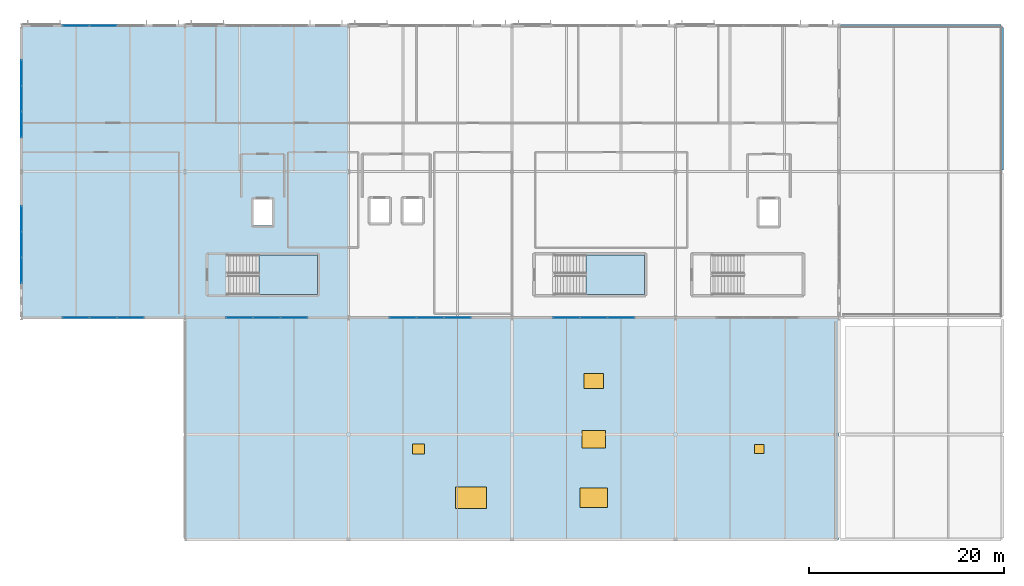
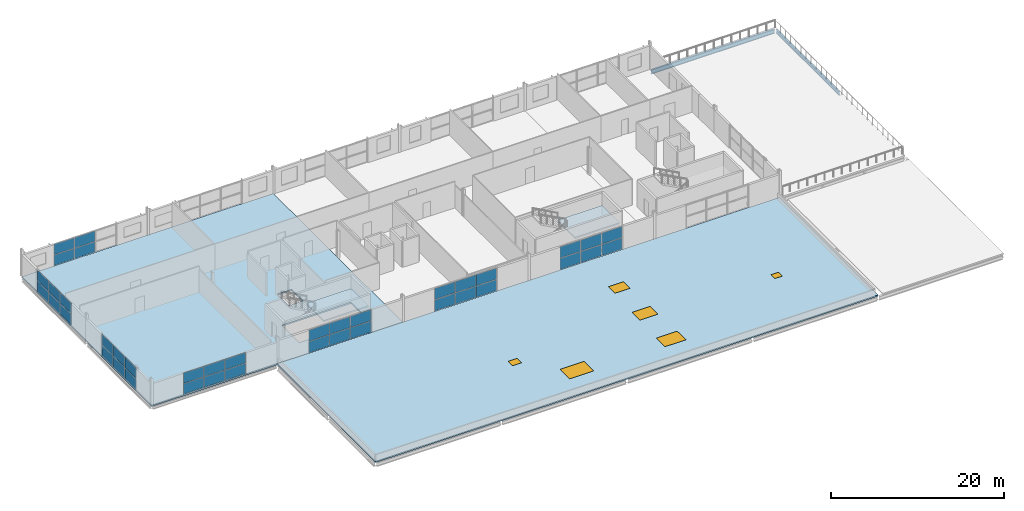
# One storey, part 25 of 36: 40 plates, 4 slabs, 4 windows, 2 beams, 2 doors, 6 openings, 9 elements without a shape of their own.
"""IFC4 building model written with IfcOpenShell, lengths in metres."""

from ifc_helpers import new_model, si_unit, direction, frame, origin, origin_2d, place, context, subcontext, project, spatial, polyline, rectangle, i_section, outline, extrude, material, layer, layer_set, material_profile, profile_set, type_object, element, fill, aggregate, save


model = new_model("IFC4")

# Units and contexts
model_context = context("Model", 3, precision=1e-05, world=origin(), true_north=direction((0.0, 1.0)))
body_context = subcontext(model_context, "Body", "Model", "MODEL_VIEW")
ifc_project = project(units=[si_unit("LENGTHUNIT", "METRE"), si_unit("AREAUNIT", "SQUARE_METRE"), si_unit("VOLUMEUNIT", "CUBIC_METRE"), si_unit("PLANEANGLEUNIT", "RADIAN"), si_unit("MASSUNIT", "GRAM", prefix="KILO")], contexts=[model_context])

# Site, building, storey
site_placement = place(None, origin())
site = spatial("IfcSite", under=ifc_project, at=site_placement, CompositionType="ELEMENT")
building_placement = place(site_placement, origin())
building = spatial("IfcBuilding", under=site, at=building_placement, Name="Kimbaza Rail Terminus", CompositionType="ELEMENT")
storey_placement = place(building_placement, frame((0.0, 0.0, 21.0)))
storey = spatial("IfcBuildingStorey", under=building, at=storey_placement, Name="L04", CompositionType="ELEMENT", Elevation=21.0)

# Beams
ifc_material_1 = material(Name="Steel S355", Category="steel")
ifc_material_profile_1 = material_profile(ifc_material_1, i_section(OverallWidth=0.199951171875, OverallDepth=0.5, WebThickness=0.01025390625, FlangeThickness=0.01611328125, FilletRadius=0.02099609375, at=origin_2d()), Name="IPE 500")
ifc_profile_set_1 = profile_set([ifc_material_profile_1], Name="Steel S355")
beam_type_1 = type_object("IfcBeamType", Name="STR-BM-IPE500", PredefinedType="BEAM", material=ifc_profile_set_1)
beam_1_placement = place(storey_placement, frame((156.0, 118.175048828125, -0.449951171875), z_axis=(0.0, 1.0, 0.0), x_axis=(-1.0, 0.0, 0.0)))
element("IfcBeam", 1, at=beam_1_placement, inside=storey, type_object=beam_type_1, Name="Beam BM-TER4Y-1", PredefinedType="BEAM", context=body_context, shape_type="SweptSolid", body=[
    extrude(i_section(OverallWidth=0.199951171875, OverallDepth=0.5, WebThickness=0.01025390625, FlangeThickness=0.01611328125, FilletRadius=0.02099609375, at=origin_2d()), origin(), (0.0, 0.0, 1.0), 14.64990234375),
])
ifc_material_2 = material(Name="Steel S355", Category="steel")
ifc_material_profile_2 = material_profile(ifc_material_2, i_section(OverallWidth=0.219970703125, OverallDepth=0.60009765625, WebThickness=0.011962890625, FlangeThickness=0.01904296875, FilletRadius=0.02392578125, at=origin_2d()), Name="IPE 600")
ifc_profile_set_2 = profile_set([ifc_material_profile_2], Name="Steel S355")
beam_type_2 = type_object("IfcBeamType", Name="STR-BM-IPE600", PredefinedType="BEAM", material=ifc_profile_set_2)
beam_2_placement = place(storey_placement, frame((139.345947265625, 133.0, -0.5), z_axis=(1.0, 0.0, 0.0), x_axis=(0.0, 1.0, 0.0)))
element("IfcBeam", 2, at=beam_2_placement, inside=storey, type_object=beam_type_2, Name="Beam BM-TER4X-2", PredefinedType="BEAM", context=body_context, shape_type="SweptSolid", body=[
    extrude(i_section(OverallWidth=0.219970703125, OverallDepth=0.60009765625, WebThickness=0.011962890625, FlangeThickness=0.01904296875, FilletRadius=0.02392578125, at=origin_2d()), origin(), (0.0, 0.0, 1.0), 16.508056640625),
])

# Curtain wall, plates
ifc_material_3 = material(Name="Anodised aluminium framing and solar low-E glazing", Category="aluminium")
curtain_wall_type = type_object("IfcCurtainWallType", Name="ARC-CW-OP2", PredefinedType="USERDEFINED", material=ifc_material_3)
curtain_wall_1_placement = place(storey_placement, origin())
curtain_wall_1 = element("IfcCurtainWall", 3, at=curtain_wall_1_placement, inside=storey, type_object=curtain_wall_type, Name="Operations North Curtain Wall L04 Bay 1", ObjectType="STICK CURTAIN WALL", PredefinedType="USERDEFINED")
ifc_material_4 = material(Name="Solar-control double low-E glazing", Category="glass")
ifc_layer_1 = layer(ifc_material_4, 0.02294921875)
ifc_layer_set_1 = layer_set([ifc_layer_1], Name="Solar-control double low-E glazing")
plate_type = type_object("IfcPlateType", Name="ARC-CWP-06", PredefinedType="CURTAIN_PANEL", material=ifc_layer_set_1)
plate_1_placement = place(storey_placement, frame((60.814453125, 133.0, 0.05810546875), z_axis=(0.0, 0.0, 1.0), x_axis=(1.0, 0.0, 0.0)))
plate_1 = element("IfcPlate", 4, at=plate_1_placement, type_object=plate_type, Name="CW-06 panel 1.1", PredefinedType="CURTAIN_PANEL", context=body_context, shape_type="SweptSolid", body=[
    extrude(rectangle(XDim=2.712890625, YDim=0.02294921875, at=origin_2d()), origin(), (0.0, 0.0, 1.0), 1.465576171875),
])
plate_2_placement = place(storey_placement, frame((60.814453125, 133.0, 1.58154296875), z_axis=(0.0, 0.0, 1.0), x_axis=(1.0, 0.0, 0.0)))
plate_2 = element("IfcPlate", 5, at=plate_2_placement, type_object=plate_type, Name="CW-06 panel 1.2", PredefinedType="CURTAIN_PANEL", context=body_context, shape_type="SweptSolid", body=[
    extrude(rectangle(XDim=2.712890625, YDim=0.02294921875, at=origin_2d()), origin(), (0.0, 0.0, 1.0), 1.465576171875),
])
plate_3_placement = place(storey_placement, frame((63.60009765625, 133.0, 0.05810546875), z_axis=(0.0, 0.0, 1.0), x_axis=(1.0, 0.0, 0.0)))
plate_3 = element("IfcPlate", 6, at=plate_3_placement, type_object=plate_type, Name="CW-06 panel 2.1", PredefinedType="CURTAIN_PANEL", context=body_context, shape_type="SweptSolid", body=[
    extrude(rectangle(XDim=2.741943359375, YDim=0.02294921875, at=origin_2d()), origin(), (0.0, 0.0, 1.0), 1.465576171875),
])
plate_4_placement = place(storey_placement, frame((63.60009765625, 133.0, 1.58154296875), z_axis=(0.0, 0.0, 1.0), x_axis=(1.0, 0.0, 0.0)))
plate_4 = element("IfcPlate", 7, at=plate_4_placement, type_object=plate_type, Name="CW-06 panel 2.2", PredefinedType="CURTAIN_PANEL", context=body_context, shape_type="SweptSolid", body=[
    extrude(rectangle(XDim=2.741943359375, YDim=0.02294921875, at=origin_2d()), origin(), (0.0, 0.0, 1.0), 1.465576171875),
])
aggregate(curtain_wall_1, [plate_1, plate_2, plate_3, plate_4])

curtain_wall_2_placement = place(storey_placement, origin())
curtain_wall_2 = element("IfcCurtainWall", 8, at=curtain_wall_2_placement, inside=storey, type_object=curtain_wall_type, Name="Operations South Curtain Wall L04 Bay 1", ObjectType="STICK CURTAIN WALL", PredefinedType="USERDEFINED")
plate_5_placement = place(storey_placement, frame((60.814453125, 103.0, 0.05810546875), z_axis=(0.0, 0.0, 1.0), x_axis=(1.0, 0.0, 0.0)))
plate_5 = element("IfcPlate", 9, at=plate_5_placement, type_object=plate_type, Name="CW-06 panel 1.1", PredefinedType="CURTAIN_PANEL", context=body_context, shape_type="SweptSolid", body=[
    extrude(rectangle(XDim=2.712890625, YDim=0.02294921875, at=origin_2d()), origin(), (0.0, 0.0, 1.0), 1.465576171875),
])
plate_6_placement = place(storey_placement, frame((60.814453125, 103.0, 1.58154296875), z_axis=(0.0, 0.0, 1.0), x_axis=(1.0, 0.0, 0.0)))
plate_6 = element("IfcPlate", 10, at=plate_6_placement, type_object=plate_type, Name="CW-06 panel 1.2", PredefinedType="CURTAIN_PANEL", context=body_context, shape_type="SweptSolid", body=[
    extrude(rectangle(XDim=2.712890625, YDim=0.02294921875, at=origin_2d()), origin(), (0.0, 0.0, 1.0), 1.465576171875),
])
plate_7_placement = place(storey_placement, frame((63.60009765625, 103.0, 0.05810546875), z_axis=(0.0, 0.0, 1.0), x_axis=(1.0, 0.0, 0.0)))
plate_7 = element("IfcPlate", 11, at=plate_7_placement, type_object=plate_type, Name="CW-06 panel 2.1", PredefinedType="CURTAIN_PANEL", context=body_context, shape_type="SweptSolid", body=[
    extrude(rectangle(XDim=2.741943359375, YDim=0.02294921875, at=origin_2d()), origin(), (0.0, 0.0, 1.0), 1.465576171875),
])
plate_8_placement = place(storey_placement, frame((63.60009765625, 103.0, 1.58154296875), z_axis=(0.0, 0.0, 1.0), x_axis=(1.0, 0.0, 0.0)))
plate_8 = element("IfcPlate", 12, at=plate_8_placement, type_object=plate_type, Name="CW-06 panel 2.2", PredefinedType="CURTAIN_PANEL", context=body_context, shape_type="SweptSolid", body=[
    extrude(rectangle(XDim=2.741943359375, YDim=0.02294921875, at=origin_2d()), origin(), (0.0, 0.0, 1.0), 1.465576171875),
])
plate_9_placement = place(storey_placement, frame((66.385498046875, 103.0, 0.05810546875), z_axis=(0.0, 0.0, 1.0), x_axis=(1.0, 0.0, 0.0)))
plate_9 = element("IfcPlate", 13, at=plate_9_placement, type_object=plate_type, Name="CW-06 panel 3.1", PredefinedType="CURTAIN_PANEL", context=body_context, shape_type="SweptSolid", body=[
    extrude(rectangle(XDim=2.712890625, YDim=0.02294921875, at=origin_2d()), origin(), (0.0, 0.0, 1.0), 1.465576171875),
])
plate_10_placement = place(storey_placement, frame((66.385498046875, 103.0, 1.58154296875), z_axis=(0.0, 0.0, 1.0), x_axis=(1.0, 0.0, 0.0)))
plate_10 = element("IfcPlate", 14, at=plate_10_placement, type_object=plate_type, Name="CW-06 panel 3.2", PredefinedType="CURTAIN_PANEL", context=body_context, shape_type="SweptSolid", body=[
    extrude(rectangle(XDim=2.712890625, YDim=0.02294921875, at=origin_2d()), origin(), (0.0, 0.0, 1.0), 1.465576171875),
])
aggregate(curtain_wall_2, [plate_5, plate_6, plate_7, plate_8, plate_9, plate_10])

curtain_wall_3_placement = place(storey_placement, origin())
curtain_wall_3 = element("IfcCurtainWall", 15, at=curtain_wall_3_placement, inside=storey, type_object=curtain_wall_type, Name="Operations South Curtain Wall L04 Bay 2", ObjectType="STICK CURTAIN WALL", PredefinedType="USERDEFINED")
plate_11_placement = place(storey_placement, frame((77.614501953125, 103.0, 0.05810546875), z_axis=(0.0, 0.0, 1.0), x_axis=(1.0, 0.0, 0.0)))
plate_11 = element("IfcPlate", 16, at=plate_11_placement, type_object=plate_type, Name="CW-06 panel 1.1", PredefinedType="CURTAIN_PANEL", context=body_context, shape_type="SweptSolid", body=[
    extrude(rectangle(XDim=2.712890625, YDim=0.02294921875, at=origin_2d()), origin(), (0.0, 0.0, 1.0), 1.570556640625),
])
plate_12_placement = place(storey_placement, frame((77.614501953125, 103.0, 1.6865234375), z_axis=(0.0, 0.0, 1.0), x_axis=(1.0, 0.0, 0.0)))
plate_12 = element("IfcPlate", 17, at=plate_12_placement, type_object=plate_type, Name="CW-06 panel 1.2", PredefinedType="CURTAIN_PANEL", context=body_context, shape_type="SweptSolid", body=[
    extrude(rectangle(XDim=2.712890625, YDim=0.02294921875, at=origin_2d()), origin(), (0.0, 0.0, 1.0), 1.570556640625),
])
plate_13_placement = place(storey_placement, frame((80.39990234375, 103.0, 0.05810546875), z_axis=(0.0, 0.0, 1.0), x_axis=(1.0, 0.0, 0.0)))
plate_13 = element("IfcPlate", 18, at=plate_13_placement, type_object=plate_type, Name="CW-06 panel 2.1", PredefinedType="CURTAIN_PANEL", context=body_context, shape_type="SweptSolid", body=[
    extrude(rectangle(XDim=2.741943359375, YDim=0.02294921875, at=origin_2d()), origin(), (0.0, 0.0, 1.0), 1.570556640625),
])
plate_14_placement = place(storey_placement, frame((80.39990234375, 103.0, 1.6865234375), z_axis=(0.0, 0.0, 1.0), x_axis=(1.0, 0.0, 0.0)))
plate_14 = element("IfcPlate", 19, at=plate_14_placement, type_object=plate_type, Name="CW-06 panel 2.2", PredefinedType="CURTAIN_PANEL", context=body_context, shape_type="SweptSolid", body=[
    extrude(rectangle(XDim=2.741943359375, YDim=0.02294921875, at=origin_2d()), origin(), (0.0, 0.0, 1.0), 1.570556640625),
])
plate_15_placement = place(storey_placement, frame((83.185546875, 103.0, 0.05810546875), z_axis=(0.0, 0.0, 1.0), x_axis=(1.0, 0.0, 0.0)))
plate_15 = element("IfcPlate", 20, at=plate_15_placement, type_object=plate_type, Name="CW-06 panel 3.1", PredefinedType="CURTAIN_PANEL", context=body_context, shape_type="SweptSolid", body=[
    extrude(rectangle(XDim=2.712890625, YDim=0.02294921875, at=origin_2d()), origin(), (0.0, 0.0, 1.0), 1.570556640625),
])
plate_16_placement = place(storey_placement, frame((83.185546875, 103.0, 1.6865234375), z_axis=(0.0, 0.0, 1.0), x_axis=(1.0, 0.0, 0.0)))
plate_16 = element("IfcPlate", 21, at=plate_16_placement, type_object=plate_type, Name="CW-06 panel 3.2", PredefinedType="CURTAIN_PANEL", context=body_context, shape_type="SweptSolid", body=[
    extrude(rectangle(XDim=2.712890625, YDim=0.02294921875, at=origin_2d()), origin(), (0.0, 0.0, 1.0), 1.570556640625),
])
aggregate(curtain_wall_3, [plate_11, plate_12, plate_13, plate_14, plate_15, plate_16])

curtain_wall_4_placement = place(storey_placement, origin())
curtain_wall_4 = element("IfcCurtainWall", 22, at=curtain_wall_4_placement, inside=storey, type_object=curtain_wall_type, Name="Operations South Curtain Wall L04 Bay 3", ObjectType="STICK CURTAIN WALL", PredefinedType="USERDEFINED")
plate_17_placement = place(storey_placement, frame((94.41455078125, 103.0, 0.05810546875), z_axis=(0.0, 0.0, 1.0), x_axis=(1.0, 0.0, 0.0)))
plate_17 = element("IfcPlate", 23, at=plate_17_placement, type_object=plate_type, Name="CW-06 panel 1.1", PredefinedType="CURTAIN_PANEL", context=body_context, shape_type="SweptSolid", body=[
    extrude(rectangle(XDim=2.712890625, YDim=0.02294921875, at=origin_2d()), origin(), (0.0, 0.0, 1.0), 1.570556640625),
])
plate_18_placement = place(storey_placement, frame((94.41455078125, 103.0, 1.6865234375), z_axis=(0.0, 0.0, 1.0), x_axis=(1.0, 0.0, 0.0)))
plate_18 = element("IfcPlate", 24, at=plate_18_placement, type_object=plate_type, Name="CW-06 panel 1.2", PredefinedType="CURTAIN_PANEL", context=body_context, shape_type="SweptSolid", body=[
    extrude(rectangle(XDim=2.712890625, YDim=0.02294921875, at=origin_2d()), origin(), (0.0, 0.0, 1.0), 1.570556640625),
])
plate_19_placement = place(storey_placement, frame((97.199951171875, 103.0, 0.05810546875), z_axis=(0.0, 0.0, 1.0), x_axis=(1.0, 0.0, 0.0)))
plate_19 = element("IfcPlate", 25, at=plate_19_placement, type_object=plate_type, Name="CW-06 panel 2.1", PredefinedType="CURTAIN_PANEL", context=body_context, shape_type="SweptSolid", body=[
    extrude(rectangle(XDim=2.741943359375, YDim=0.02294921875, at=origin_2d()), origin(), (0.0, 0.0, 1.0), 1.570556640625),
])
plate_20_placement = place(storey_placement, frame((97.199951171875, 103.0, 1.6865234375), z_axis=(0.0, 0.0, 1.0), x_axis=(1.0, 0.0, 0.0)))
plate_20 = element("IfcPlate", 26, at=plate_20_placement, type_object=plate_type, Name="CW-06 panel 2.2", PredefinedType="CURTAIN_PANEL", context=body_context, shape_type="SweptSolid", body=[
    extrude(rectangle(XDim=2.741943359375, YDim=0.02294921875, at=origin_2d()), origin(), (0.0, 0.0, 1.0), 1.570556640625),
])
plate_21_placement = place(storey_placement, frame((99.985595703125, 103.0, 0.05810546875), z_axis=(0.0, 0.0, 1.0), x_axis=(1.0, 0.0, 0.0)))
plate_21 = element("IfcPlate", 27, at=plate_21_placement, type_object=plate_type, Name="CW-06 panel 3.1", PredefinedType="CURTAIN_PANEL", context=body_context, shape_type="SweptSolid", body=[
    extrude(rectangle(XDim=2.712890625, YDim=0.02294921875, at=origin_2d()), origin(), (0.0, 0.0, 1.0), 1.570556640625),
])
plate_22_placement = place(storey_placement, frame((99.985595703125, 103.0, 1.6865234375), z_axis=(0.0, 0.0, 1.0), x_axis=(1.0, 0.0, 0.0)))
plate_22 = element("IfcPlate", 28, at=plate_22_placement, type_object=plate_type, Name="CW-06 panel 3.2", PredefinedType="CURTAIN_PANEL", context=body_context, shape_type="SweptSolid", body=[
    extrude(rectangle(XDim=2.712890625, YDim=0.02294921875, at=origin_2d()), origin(), (0.0, 0.0, 1.0), 1.570556640625),
])
aggregate(curtain_wall_4, [plate_17, plate_18, plate_19, plate_20, plate_21, plate_22])

curtain_wall_5_placement = place(storey_placement, origin())
curtain_wall_5 = element("IfcCurtainWall", 29, at=curtain_wall_5_placement, inside=storey, type_object=curtain_wall_type, Name="Operations South Curtain Wall L04 Bay 4", ObjectType="STICK CURTAIN WALL", PredefinedType="USERDEFINED")
plate_23_placement = place(storey_placement, frame((111.214599609375, 103.0, 0.05810546875), z_axis=(0.0, 0.0, 1.0), x_axis=(1.0, 0.0, 0.0)))
plate_23 = element("IfcPlate", 30, at=plate_23_placement, type_object=plate_type, Name="CW-06 panel 1.1", PredefinedType="CURTAIN_PANEL", context=body_context, shape_type="SweptSolid", body=[
    extrude(rectangle(XDim=2.712890625, YDim=0.02294921875, at=origin_2d()), origin(), (0.0, 0.0, 1.0), 1.570556640625),
])
plate_24_placement = place(storey_placement, frame((111.214599609375, 103.0, 1.6865234375), z_axis=(0.0, 0.0, 1.0), x_axis=(1.0, 0.0, 0.0)))
plate_24 = element("IfcPlate", 31, at=plate_24_placement, type_object=plate_type, Name="CW-06 panel 1.2", PredefinedType="CURTAIN_PANEL", context=body_context, shape_type="SweptSolid", body=[
    extrude(rectangle(XDim=2.712890625, YDim=0.02294921875, at=origin_2d()), origin(), (0.0, 0.0, 1.0), 1.570556640625),
])
plate_25_placement = place(storey_placement, frame((114.0, 103.0, 0.05810546875), z_axis=(0.0, 0.0, 1.0), x_axis=(1.0, 0.0, 0.0)))
plate_25 = element("IfcPlate", 32, at=plate_25_placement, type_object=plate_type, Name="CW-06 panel 2.1", PredefinedType="CURTAIN_PANEL", context=body_context, shape_type="SweptSolid", body=[
    extrude(rectangle(XDim=2.741943359375, YDim=0.02294921875, at=origin_2d()), origin(), (0.0, 0.0, 1.0), 1.570556640625),
])
plate_26_placement = place(storey_placement, frame((114.0, 103.0, 1.6865234375), z_axis=(0.0, 0.0, 1.0), x_axis=(1.0, 0.0, 0.0)))
plate_26 = element("IfcPlate", 33, at=plate_26_placement, type_object=plate_type, Name="CW-06 panel 2.2", PredefinedType="CURTAIN_PANEL", context=body_context, shape_type="SweptSolid", body=[
    extrude(rectangle(XDim=2.741943359375, YDim=0.02294921875, at=origin_2d()), origin(), (0.0, 0.0, 1.0), 1.570556640625),
])
plate_27_placement = place(storey_placement, frame((116.785400390625, 103.0, 0.05810546875), z_axis=(0.0, 0.0, 1.0), x_axis=(1.0, 0.0, 0.0)))
plate_27 = element("IfcPlate", 34, at=plate_27_placement, type_object=plate_type, Name="CW-06 panel 3.1", PredefinedType="CURTAIN_PANEL", context=body_context, shape_type="SweptSolid", body=[
    extrude(rectangle(XDim=2.712890625, YDim=0.02294921875, at=origin_2d()), origin(), (0.0, 0.0, 1.0), 1.570556640625),
])
plate_28_placement = place(storey_placement, frame((116.785400390625, 103.0, 1.6865234375), z_axis=(0.0, 0.0, 1.0), x_axis=(1.0, 0.0, 0.0)))
plate_28 = element("IfcPlate", 35, at=plate_28_placement, type_object=plate_type, Name="CW-06 panel 3.2", PredefinedType="CURTAIN_PANEL", context=body_context, shape_type="SweptSolid", body=[
    extrude(rectangle(XDim=2.712890625, YDim=0.02294921875, at=origin_2d()), origin(), (0.0, 0.0, 1.0), 1.570556640625),
])
aggregate(curtain_wall_5, [plate_23, plate_24, plate_25, plate_26, plate_27, plate_28])

curtain_wall_6_placement = place(storey_placement, origin())
curtain_wall_6 = element("IfcCurtainWall", 36, at=curtain_wall_6_placement, inside=storey, type_object=curtain_wall_type, Name="Operations W Curtain Wall L04.1", ObjectType="STICK CURTAIN WALL", PredefinedType="USERDEFINED")
plate_29_placement = place(storey_placement, frame((55.199951171875, 107.847900390625, 0.05810546875), z_axis=(0.0, 0.0, 1.0), x_axis=(0.0, 1.0, 0.0)))
plate_29 = element("IfcPlate", 37, at=plate_29_placement, type_object=plate_type, Name="CW-06 panel 1.1", PredefinedType="CURTAIN_PANEL", context=body_context, shape_type="SweptSolid", body=[
    extrude(rectangle(XDim=2.57958984375, YDim=0.02294921875, at=origin_2d()), origin(), (0.0, 0.0, 1.0), 1.515380859375),
])
plate_30_placement = place(storey_placement, frame((55.199951171875, 107.847900390625, 1.63134765625), z_axis=(0.0, 0.0, 1.0), x_axis=(0.0, 1.0, 0.0)))
plate_30 = element("IfcPlate", 38, at=plate_30_placement, type_object=plate_type, Name="CW-06 panel 1.2", PredefinedType="CURTAIN_PANEL", context=body_context, shape_type="SweptSolid", body=[
    extrude(rectangle(XDim=2.57958984375, YDim=0.02294921875, at=origin_2d()), origin(), (0.0, 0.0, 1.0), 1.515380859375),
])
plate_31_placement = place(storey_placement, frame((55.199951171875, 110.5, 0.05810546875), z_axis=(0.0, 0.0, 1.0), x_axis=(0.0, 1.0, 0.0)))
plate_31 = element("IfcPlate", 39, at=plate_31_placement, type_object=plate_type, Name="CW-06 panel 2.1", PredefinedType="CURTAIN_PANEL", context=body_context, shape_type="SweptSolid", body=[
    extrude(rectangle(XDim=2.608642578125, YDim=0.02294921875, at=origin_2d()), origin(), (0.0, 0.0, 1.0), 1.515380859375),
])
plate_32_placement = place(storey_placement, frame((55.199951171875, 110.5, 1.63134765625), z_axis=(0.0, 0.0, 1.0), x_axis=(0.0, 1.0, 0.0)))
plate_32 = element("IfcPlate", 40, at=plate_32_placement, type_object=plate_type, Name="CW-06 panel 2.2", PredefinedType="CURTAIN_PANEL", context=body_context, shape_type="SweptSolid", body=[
    extrude(rectangle(XDim=2.608642578125, YDim=0.02294921875, at=origin_2d()), origin(), (0.0, 0.0, 1.0), 1.515380859375),
])
plate_33_placement = place(storey_placement, frame((55.199951171875, 113.152099609375, 0.05810546875), z_axis=(0.0, 0.0, 1.0), x_axis=(0.0, 1.0, 0.0)))
plate_33 = element("IfcPlate", 41, at=plate_33_placement, type_object=plate_type, Name="CW-06 panel 3.1", PredefinedType="CURTAIN_PANEL", context=body_context, shape_type="SweptSolid", body=[
    extrude(rectangle(XDim=2.57958984375, YDim=0.02294921875, at=origin_2d()), origin(), (0.0, 0.0, 1.0), 1.515380859375),
])
plate_34_placement = place(storey_placement, frame((55.199951171875, 113.152099609375, 1.63134765625), z_axis=(0.0, 0.0, 1.0), x_axis=(0.0, 1.0, 0.0)))
plate_34 = element("IfcPlate", 42, at=plate_34_placement, type_object=plate_type, Name="CW-06 panel 3.2", PredefinedType="CURTAIN_PANEL", context=body_context, shape_type="SweptSolid", body=[
    extrude(rectangle(XDim=2.57958984375, YDim=0.02294921875, at=origin_2d()), origin(), (0.0, 0.0, 1.0), 1.515380859375),
])
aggregate(curtain_wall_6, [plate_29, plate_30, plate_31, plate_32, plate_33, plate_34])

curtain_wall_7_placement = place(storey_placement, origin())
curtain_wall_7 = element("IfcCurtainWall", 43, at=curtain_wall_7_placement, inside=storey, type_object=curtain_wall_type, Name="Operations W Curtain Wall L04.2", ObjectType="STICK CURTAIN WALL", PredefinedType="USERDEFINED")
plate_35_placement = place(storey_placement, frame((55.199951171875, 122.847900390625, 0.05810546875), z_axis=(0.0, 0.0, 1.0), x_axis=(0.0, 1.0, 0.0)))
plate_35 = element("IfcPlate", 44, at=plate_35_placement, type_object=plate_type, Name="CW-06 panel 1.1", PredefinedType="CURTAIN_PANEL", context=body_context, shape_type="SweptSolid", body=[
    extrude(rectangle(XDim=2.57958984375, YDim=0.02294921875, at=origin_2d()), origin(), (0.0, 0.0, 1.0), 1.515380859375),
])
plate_36_placement = place(storey_placement, frame((55.199951171875, 122.847900390625, 1.63134765625), z_axis=(0.0, 0.0, 1.0), x_axis=(0.0, 1.0, 0.0)))
plate_36 = element("IfcPlate", 45, at=plate_36_placement, type_object=plate_type, Name="CW-06 panel 1.2", PredefinedType="CURTAIN_PANEL", context=body_context, shape_type="SweptSolid", body=[
    extrude(rectangle(XDim=2.57958984375, YDim=0.02294921875, at=origin_2d()), origin(), (0.0, 0.0, 1.0), 1.515380859375),
])
plate_37_placement = place(storey_placement, frame((55.199951171875, 125.5, 0.05810546875), z_axis=(0.0, 0.0, 1.0), x_axis=(0.0, 1.0, 0.0)))
plate_37 = element("IfcPlate", 46, at=plate_37_placement, type_object=plate_type, Name="CW-06 panel 2.1", PredefinedType="CURTAIN_PANEL", context=body_context, shape_type="SweptSolid", body=[
    extrude(rectangle(XDim=2.608642578125, YDim=0.02294921875, at=origin_2d()), origin(), (0.0, 0.0, 1.0), 1.515380859375),
])
plate_38_placement = place(storey_placement, frame((55.199951171875, 125.5, 1.63134765625), z_axis=(0.0, 0.0, 1.0), x_axis=(0.0, 1.0, 0.0)))
plate_38 = element("IfcPlate", 47, at=plate_38_placement, type_object=plate_type, Name="CW-06 panel 2.2", PredefinedType="CURTAIN_PANEL", context=body_context, shape_type="SweptSolid", body=[
    extrude(rectangle(XDim=2.608642578125, YDim=0.02294921875, at=origin_2d()), origin(), (0.0, 0.0, 1.0), 1.515380859375),
])
plate_39_placement = place(storey_placement, frame((55.199951171875, 128.152099609375, 0.05810546875), z_axis=(0.0, 0.0, 1.0), x_axis=(0.0, 1.0, 0.0)))
plate_39 = element("IfcPlate", 48, at=plate_39_placement, type_object=plate_type, Name="CW-06 panel 3.1", PredefinedType="CURTAIN_PANEL", context=body_context, shape_type="SweptSolid", body=[
    extrude(rectangle(XDim=2.57958984375, YDim=0.02294921875, at=origin_2d()), origin(), (0.0, 0.0, 1.0), 1.515380859375),
])
plate_40_placement = place(storey_placement, frame((55.199951171875, 128.152099609375, 1.63134765625), z_axis=(0.0, 0.0, 1.0), x_axis=(0.0, 1.0, 0.0)))
plate_40 = element("IfcPlate", 49, at=plate_40_placement, type_object=plate_type, Name="CW-06 panel 3.2", PredefinedType="CURTAIN_PANEL", context=body_context, shape_type="SweptSolid", body=[
    extrude(rectangle(XDim=2.57958984375, YDim=0.02294921875, at=origin_2d()), origin(), (0.0, 0.0, 1.0), 1.515380859375),
])
aggregate(curtain_wall_7, [plate_35, plate_36, plate_37, plate_38, plate_39, plate_40])

# Stair, slab
ifc_material_5 = material(Name="Concrete C40/50", Category="concrete")
stair_type = type_object("IfcStairType", Name="ARC-STR-04", PredefinedType="HALF_TURN_STAIR", material=ifc_material_5)
stair_1_placement = place(storey_placement, origin())
stair_1 = element("IfcStair", 50, at=stair_1_placement, inside=storey, type_object=stair_type, Name="L04 Operations West Exit Stair", PredefinedType="HALF_TURN_STAIR")
ifc_material_6 = material(Name="Concrete C40/50", Category="concrete")
ifc_layer_2 = layer(ifc_material_6, 0.199951171875)
ifc_layer_set_2 = layer_set([ifc_layer_2], Name="Concrete C40/50")
slab_type_1 = type_object("IfcSlabType", Name="STR-SL-LND200", PredefinedType="LANDING", material=ifc_layer_set_2)
slab_1_placement = place(storey_placement, frame((0.0, 0.0, 1.75)))
slab_1 = element("IfcSlab", 51, at=slab_1_placement, type_object=slab_type_1, Name="ST-W1 landing 1", PredefinedType="LANDING", context=body_context, shape_type="SweptSolid", body=[
    extrude(outline(polyline([(79.6201171875, 105.39990234375), (85.60009765625, 105.39990234375), (85.60009765625, 109.43994140625), (79.6201171875, 109.43994140625), (79.6201171875, 105.39990234375)])), origin(), (0.0, 0.0, 1.0), 0.199951171875),
])
aggregate(stair_1, [slab_1])

stair_2_placement = place(storey_placement, origin())
stair_2 = element("IfcStair", 52, at=stair_2_placement, inside=storey, type_object=stair_type, Name="L04 Operations Central Exit Stair", PredefinedType="HALF_TURN_STAIR")
slab_2_placement = place(storey_placement, frame((0.0, 0.0, 1.75)))
slab_2 = element("IfcSlab", 53, at=slab_2_placement, type_object=slab_type_1, Name="ST-M1 landing 1", PredefinedType="LANDING", context=body_context, shape_type="SweptSolid", body=[
    extrude(outline(polyline([(113.219970703125, 105.39990234375), (119.199951171875, 105.39990234375), (119.199951171875, 109.43994140625), (113.219970703125, 109.43994140625), (113.219970703125, 105.39990234375)])), origin(), (0.0, 0.0, 1.0), 0.199951171875),
])
aggregate(stair_2, [slab_2])

# Slab, openings, doors, windows
ifc_material_7 = material(Name="Concrete C40/50", Category="concrete")
ifc_layer_3 = layer(ifc_material_7, 0.175048828125)
ifc_layer_set_3 = layer_set([ifc_layer_3], Name="Concrete C40/50")
slab_type_2 = type_object("IfcSlabType", Name="STR-SL-RF175", PredefinedType="ROOF", material=ifc_layer_set_3)
slab_3_placement = place(storey_placement, frame((0.0, 0.0, -0.175048828125)))
slab_3 = element("IfcSlab", 54, at=slab_3_placement, inside=storey, type_object=slab_type_2, Name="Over-Track Footbridge Roof Slab", PredefinedType="ROOF", context=body_context, shape_type="SweptSolid", body=[
    extrude(outline(polyline([(72.0, 80.199951171875), (139.199951171875, 80.199951171875), (139.199951171875, 103.0), (72.0, 103.0), (72.0, 80.199951171875)])), origin(), (0.0, 0.0, 1.0), 0.175048828125),
])
opening_1_placement = place(slab_3_placement, frame((101.39990234375, 84.5, 0.0)))
opening_1 = element("IfcOpeningElement", 55, at=opening_1_placement, cuts=slab_3, Name="Opening SK-01", PredefinedType="OPENING", context=body_context, shape_type="SweptSolid", body=[
    extrude(rectangle(XDim=3.199951171875, YDim=2.199951171875, at=origin_2d()), frame((0.0, 0.0, -0.010009765625)), (0.0, 0.0, 1.0), 0.195068359375),
])
opening_2_placement = place(slab_3_placement, frame((114.0, 84.5, 0.0)))
opening_2 = element("IfcOpeningElement", 56, at=opening_2_placement, cuts=slab_3, Name="Opening SK-02", PredefinedType="OPENING", context=body_context, shape_type="SweptSolid", body=[
    extrude(rectangle(XDim=2.800048828125, YDim=2.0, at=origin_2d()), frame((0.0, 0.0, -0.010009765625)), (0.0, 0.0, 1.0), 0.195068359375),
])
opening_3_placement = place(slab_3_placement, frame((114.0, 90.5, 0.0)))
opening_3 = element("IfcOpeningElement", 57, at=opening_3_placement, cuts=slab_3, Name="Opening SK-03", PredefinedType="OPENING", context=body_context, shape_type="SweptSolid", body=[
    extrude(rectangle(XDim=2.39990234375, YDim=1.800048828125, at=origin_2d()), frame((0.0, 0.0, -0.010009765625)), (0.0, 0.0, 1.0), 0.195068359375),
])
opening_4_placement = place(slab_3_placement, frame((114.0, 96.5, 0.0)))
opening_4 = element("IfcOpeningElement", 58, at=opening_4_placement, cuts=slab_3, Name="Opening SK-04", PredefinedType="OPENING", context=body_context, shape_type="SweptSolid", body=[
    extrude(rectangle(XDim=2.0, YDim=1.5, at=origin_2d()), frame((0.0, 0.0, -0.010009765625)), (0.0, 0.0, 1.0), 0.195068359375),
])
opening_5_placement = place(slab_3_placement, frame((96.0, 89.5, 0.0)))
opening_5 = element("IfcOpeningElement", 59, at=opening_5_placement, cuts=slab_3, Name="Opening D-HT1", PredefinedType="OPENING", context=body_context, shape_type="SweptSolid", body=[
    extrude(rectangle(XDim=1.199951171875, YDim=1.0, at=origin_2d()), frame((0.0, 0.0, -0.010009765625)), (0.0, 0.0, 1.0), 0.195068359375),
])
opening_6_placement = place(slab_3_placement, frame((131.0, 89.5, 0.0)))
opening_6 = element("IfcOpeningElement", 60, at=opening_6_placement, cuts=slab_3, Name="Opening D-HT2", PredefinedType="OPENING", context=body_context, shape_type="SweptSolid", body=[
    extrude(rectangle(XDim=1.0, YDim=0.89990234375, at=origin_2d()), frame((0.0, 0.0, -0.010009765625)), (0.0, 0.0, 1.0), 0.195068359375),
])
ifc_material_8 = material(Name="Insulated aluminium roof access hatch", Category="aluminium")
door_type_1 = type_object("IfcDoorType", Name="ARC-DR-HT100", OperationType="NOTDEFINED", PredefinedType="TRAPDOOR", material=ifc_material_8)
door_1_placement = place(opening_6_placement, frame((0.0, 0.0, 0.125)))
door_1 = element("IfcDoor", 61, at=door_1_placement, inside=storey, type_object=door_type_1, Name="HTC-BRG-02", OperationType="SINGLE_SWING_LEFT", OverallHeight=0.89990234375, OverallWidth=1.0, PredefinedType="TRAPDOOR", context=body_context, shape_type="SweptSolid", body=[
    extrude(rectangle(XDim=1.0, YDim=0.89990234375, at=origin_2d()), origin(), (0.0, 0.0, 1.0), 0.050048828125),
])
fill(opening_6, door_1)
ifc_material_9 = material(Name="Insulated aluminium roof access hatch", Category="aluminium")
door_type_2 = type_object("IfcDoorType", Name="ARC-DR-HT120", OperationType="NOTDEFINED", PredefinedType="TRAPDOOR", material=ifc_material_9)
door_2_placement = place(opening_5_placement, frame((0.0, 0.0, 0.125)))
door_2 = element("IfcDoor", 62, at=door_2_placement, inside=storey, type_object=door_type_2, Name="HTC-BRG-01", OperationType="SINGLE_SWING_LEFT", OverallHeight=1.0, OverallWidth=1.199951171875, PredefinedType="TRAPDOOR", context=body_context, shape_type="SweptSolid", body=[
    extrude(rectangle(XDim=1.199951171875, YDim=1.0, at=origin_2d()), origin(), (0.0, 0.0, 1.0), 0.050048828125),
])
fill(opening_5, door_2)
ifc_material_10 = material(Name="Laminated solar-control skylight glazing", Category="glass")
window_type_1 = type_object("IfcWindowType", Name="ARC-SKY-SK-01", PartitioningType="SINGLE_PANEL", PredefinedType="SKYLIGHT", material=ifc_material_10)
window_1_placement = place(opening_1_placement, frame((0.0, 0.0, 0.125)))
window_1 = element("IfcWindow", 63, at=window_1_placement, inside=storey, type_object=window_type_1, Name="Corridor Daylight Skylight SKY-BRG-01", OverallHeight=2.199951171875, OverallWidth=3.199951171875, PartitioningType="SINGLE_PANEL", PredefinedType="SKYLIGHT", context=body_context, shape_type="SweptSolid", body=[
    extrude(rectangle(XDim=3.199951171875, YDim=2.199951171875, at=origin_2d()), origin(), (0.0, 0.0, 1.0), 0.050048828125),
])
fill(opening_1, window_1)
ifc_material_11 = material(Name="Laminated solar-control skylight glazing", Category="glass")
window_type_2 = type_object("IfcWindowType", Name="ARC-SKY-SK-02", PartitioningType="SINGLE_PANEL", PredefinedType="SKYLIGHT", material=ifc_material_11)
window_2_placement = place(opening_2_placement, frame((0.0, 0.0, 0.125)))
window_2 = element("IfcWindow", 64, at=window_2_placement, inside=storey, type_object=window_type_2, Name="Corridor Daylight Skylight SKY-BRG-02", OverallHeight=2.0, OverallWidth=2.800048828125, PartitioningType="SINGLE_PANEL", PredefinedType="SKYLIGHT", context=body_context, shape_type="SweptSolid", body=[
    extrude(rectangle(XDim=2.800048828125, YDim=2.0, at=origin_2d()), origin(), (0.0, 0.0, 1.0), 0.050048828125),
])
fill(opening_2, window_2)
ifc_material_12 = material(Name="Laminated solar-control skylight glazing", Category="glass")
window_type_3 = type_object("IfcWindowType", Name="ARC-SKY-SK-03", PartitioningType="SINGLE_PANEL", PredefinedType="SKYLIGHT", material=ifc_material_12)
window_3_placement = place(opening_3_placement, frame((0.0, 0.0, 0.125)))
window_3 = element("IfcWindow", 65, at=window_3_placement, inside=storey, type_object=window_type_3, Name="Corridor Daylight Skylight SKY-BRG-03", OverallHeight=1.800048828125, OverallWidth=2.39990234375, PartitioningType="SINGLE_PANEL", PredefinedType="SKYLIGHT", context=body_context, shape_type="SweptSolid", body=[
    extrude(rectangle(XDim=2.39990234375, YDim=1.800048828125, at=origin_2d()), origin(), (0.0, 0.0, 1.0), 0.050048828125),
])
fill(opening_3, window_3)
ifc_material_13 = material(Name="Laminated solar-control skylight glazing", Category="glass")
window_type_4 = type_object("IfcWindowType", Name="ARC-SKY-SK-04", PartitioningType="SINGLE_PANEL", PredefinedType="SKYLIGHT", material=ifc_material_13)
window_4_placement = place(opening_4_placement, frame((0.0, 0.0, 0.125)))
window_4 = element("IfcWindow", 66, at=window_4_placement, inside=storey, type_object=window_type_4, Name="Corridor Daylight Skylight SKY-BRG-04", OverallHeight=1.5, OverallWidth=2.0, PartitioningType="SINGLE_PANEL", PredefinedType="SKYLIGHT", context=body_context, shape_type="SweptSolid", body=[
    extrude(rectangle(XDim=2.0, YDim=1.5, at=origin_2d()), origin(), (0.0, 0.0, 1.0), 0.050048828125),
])
fill(opening_4, window_4)

# Slab
ifc_material_14 = material(Name="Concrete C40/50", Category="concrete")
ifc_layer_4 = layer(ifc_material_14, 0.199951171875)
ifc_layer_set_4 = layer_set([ifc_layer_4], Name="Concrete C40/50")
slab_type_3 = type_object("IfcSlabType", Name="STR-SL-UPP200", PredefinedType="FLOOR", material=ifc_layer_set_4)
slab_4_placement = place(storey_placement, frame((0.0, 0.0, -0.199951171875)))
element("IfcSlab", 67, at=slab_4_placement, inside=storey, type_object=slab_type_3, Name="Operations Wing L04 Slab Zone 1", PredefinedType="FLOOR", context=body_context, shape_type="SweptSolid", body=[
    extrude(outline(polyline([(55.199951171875, 103.0), (88.800048828125, 103.0), (88.800048828125, 133.0), (55.199951171875, 133.0), (55.199951171875, 103.0)]), holes=[polyline([(76.344970703125, 105.39990234375), (85.60009765625, 105.39990234375), (85.60009765625, 109.43994140625), (76.344970703125, 109.43994140625), (76.344970703125, 105.39990234375)]), polyline([(79.050048828125, 112.449951171875), (80.949951171875, 112.449951171875), (80.949951171875, 115.14990234375), (79.050048828125, 115.14990234375), (79.050048828125, 112.449951171875)])]), origin(), (0.0, 0.0, 1.0), 0.199951171875),
])

save(model, "model.ifc")
